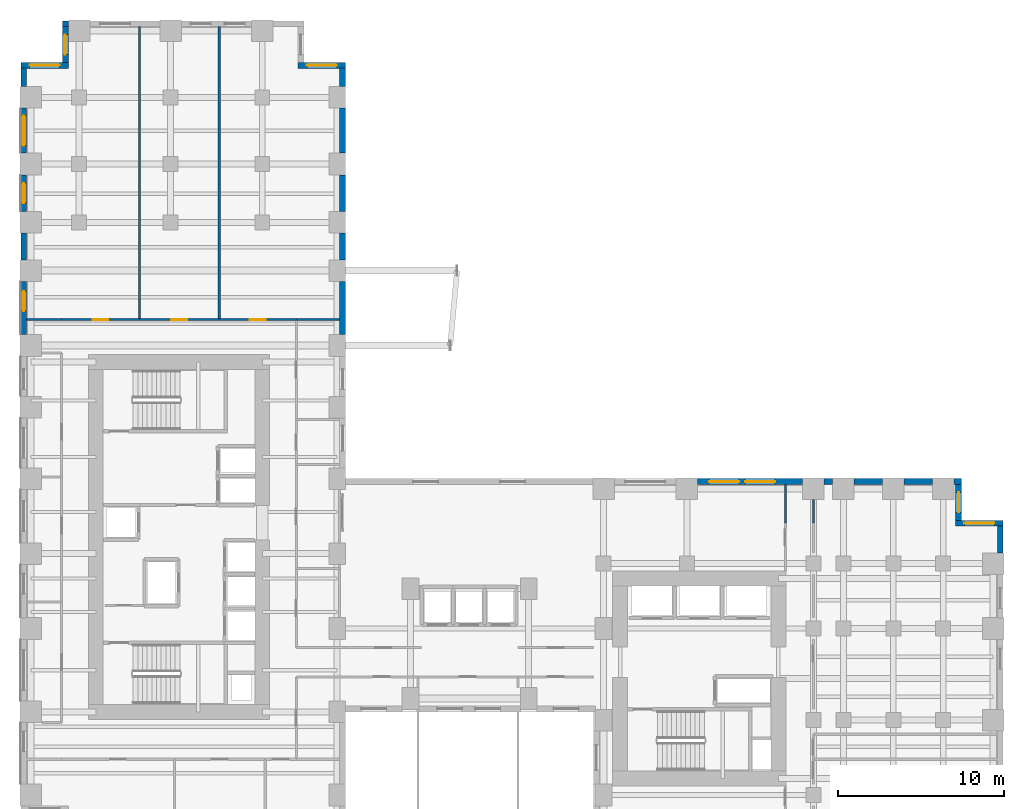
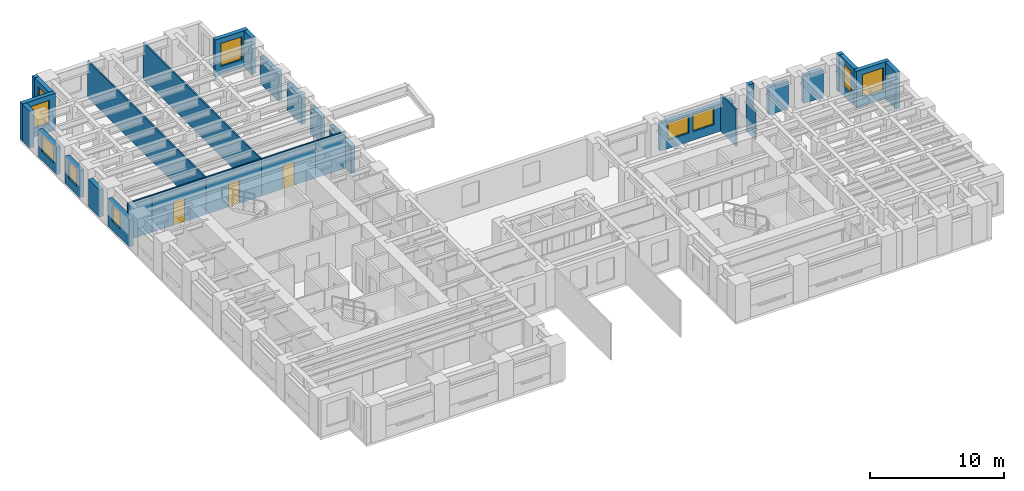
# One storey, part 11 of 14: 31 walls, 10 windows, 3 doors, 13 openings.
"""IFC4 building model written with IfcOpenShell, lengths in metres."""

from ifc_helpers import new_model, si_unit, direction, frame, frame_2d, origin, place, context, subcontext, project, spatial, rectangle, extrude, source, transform, mapped, material, layer, layer_set, type_object, element, fill, save


model = new_model("IFC4")

# Units and contexts
model_context = context("Model", 3, precision=1e-05, world=origin(), true_north=direction((0.0, 1.0)))
body_context = subcontext(model_context, "Body", "Model", "MODEL_VIEW")
ifc_project = project(units=[si_unit("LENGTHUNIT", "METRE"), si_unit("AREAUNIT", "SQUARE_METRE"), si_unit("VOLUMEUNIT", "CUBIC_METRE"), si_unit("PLANEANGLEUNIT", "RADIAN"), si_unit("MASSUNIT", "GRAM", prefix="KILO")], contexts=[model_context])

# Site, building, storey
site_placement = place(None, origin())
site = spatial("IfcSite", under=ifc_project, at=site_placement, CompositionType="ELEMENT")
building_placement = place(site_placement, origin())
building = spatial("IfcBuilding", under=site, at=building_placement, Name="Kharzan Plaza Tower", CompositionType="ELEMENT")
storey_placement = place(building_placement, frame((0.0, 0.0, 36.89990234375)))
storey = spatial("IfcBuildingStorey", under=building, at=storey_placement, Name="L09", CompositionType="ELEMENT", Elevation=36.89990234375)

# Wall, opening, window
ifc_material_1 = material(Name="Concrete C40/50", Category="concrete")
ifc_layer_1 = layer(ifc_material_1, 0.35009765625)
ifc_layer_set_1 = layer_set([ifc_layer_1], Name="Concrete C40/50")
wall_type_1 = type_object("IfcWallType", Name="WL-EXT-MAS-Z1", PredefinedType="SOLIDWALL", material=ifc_layer_set_1)
wall_1_placement = place(storey_placement, frame((19.5, 47.324951171875, 0.0), z_axis=(0.0, 0.0, 1.0), x_axis=(-1.0, 0.0, 0.0)))
wall_1 = element("IfcWall", 1, at=wall_1_placement, inside=storey, type_object=wall_type_1, Name="L09 Masonry-Frame Exterior Wall 01", PredefinedType="SOLIDWALL", context=body_context, shape_type="SweptSolid", body=[
    extrude(rectangle(XDim=2.85009765625, YDim=0.35009765625, at=frame_2d((1.425048828125, 0.0))), origin(), (0.0, 0.0, 1.0), 3.364990234375),
])
opening_1_placement = place(wall_1_placement, frame((0.52490234375, 0.0, 0.780029296875)))
opening_1 = element("IfcOpeningElement", 2, at=opening_1_placement, cuts=wall_1, Name="Opening W1", PredefinedType="OPENING", context=body_context, shape_type="SweptSolid", body=[
    extrude(rectangle(XDim=1.800048828125, YDim=2.10009765625, at=frame_2d((0.89990234375, 1.050048828125))), frame((0.0, 0.18505859375, 0.0), z_axis=(0.0, -1.0, 0.0), x_axis=(1.0, 0.0, 0.0)), (0.0, 0.0, 1.0), 0.3701171875),
])
ifc_material_2 = material(Name="Low-E Double Glazing", Category="glass")
window_type_1 = type_object("IfcWindowType", Name="WN-REC-1800x2100", PartitioningType="SINGLE_PANEL", PredefinedType="WINDOW", material=ifc_material_2)
shared_shape_1 = source(origin(), body_context, "Body", "SweptSolid", [
    extrude(rectangle(XDim=1.800048828125, YDim=2.10009765625, at=frame_2d((0.89990234375, 1.050048828125))), frame((0.0, 0.030029296875, 0.0), z_axis=(0.0, -1.0, 0.0), x_axis=(1.0, 0.0, 0.0)), (0.0, 0.0, 1.0), 0.06005859375),
])
window_1_placement = place(opening_1_placement, origin())
window_1 = element("IfcWindow", 3, at=window_1_placement, inside=storey, type_object=window_type_1, Name="L09 Recessed Solar-Control Window 01-1", OverallHeight=2.10009765625, OverallWidth=1.800048828125, PartitioningType="SINGLE_PANEL", PredefinedType="WINDOW", context=body_context, shape_type="MappedRepresentation", body=[
    mapped(shared_shape_1, transform((0.0, 0.0, 0.0), x_axis=(1.0, 0.0, 0.0), y_axis=(0.0, 1.0, 0.0), z_axis=(0.0, 0.0, 1.0))),
])
fill(opening_1, window_1)

wall_2_placement = place(storey_placement, frame((2.675048828125, 49.652099609375, 0.0), z_axis=(0.0, 0.0, 1.0), x_axis=(0.0, -1.0, 0.0)))
wall_2 = element("IfcWall", 4, at=wall_2_placement, inside=storey, type_object=wall_type_1, Name="L09 Masonry-Frame Exterior Wall 07", PredefinedType="SOLIDWALL", context=body_context, shape_type="SweptSolid", body=[
    extrude(rectangle(XDim=2.154052734375, YDim=0.35009765625, at=frame_2d((1.0771484375, 0.0))), origin(), (0.0, 0.0, 1.0), 3.364990234375),
])
opening_2_placement = place(wall_2_placement, frame((0.47705078125, 0.0, 0.780029296875)))
opening_2 = element("IfcOpeningElement", 5, at=opening_2_placement, cuts=wall_2, Name="Opening W3", PredefinedType="OPENING", context=body_context, shape_type="SweptSolid", body=[
    extrude(rectangle(XDim=1.199951171875, YDim=2.10009765625, at=frame_2d((0.60009765625, 1.050048828125))), frame((0.0, 0.18505859375, 0.0), z_axis=(0.0, -1.0, 0.0), x_axis=(1.0, 0.0, 0.0)), (0.0, 0.0, 1.0), 0.3701171875),
])
window_type_2 = type_object("IfcWindowType", Name="WN-REC-1200x2100", PartitioningType="SINGLE_PANEL", PredefinedType="WINDOW", material=ifc_material_2)
shared_shape_2 = source(origin(), body_context, "Body", "SweptSolid", [
    extrude(rectangle(XDim=1.199951171875, YDim=2.10009765625, at=frame_2d((0.60009765625, 1.050048828125))), frame((0.0, 0.030029296875, 0.0), z_axis=(0.0, -1.0, 0.0), x_axis=(1.0, 0.0, 0.0)), (0.0, 0.0, 1.0), 0.06005859375),
])
window_2_placement = place(opening_2_placement, origin())
window_2 = element("IfcWindow", 6, at=window_2_placement, inside=storey, type_object=window_type_2, Name="L09 Recessed Solar-Control Window 07-1", OverallHeight=2.10009765625, OverallWidth=1.199951171875, PartitioningType="SINGLE_PANEL", PredefinedType="WINDOW", context=body_context, shape_type="MappedRepresentation", body=[
    mapped(shared_shape_2, transform((0.0, 0.0, 0.0), x_axis=(1.0, 0.0, 0.0), y_axis=(0.0, 1.0, 0.0), z_axis=(0.0, 0.0, 1.0))),
])
fill(opening_2, window_2)

wall_3_placement = place(storey_placement, frame((2.85009765625, 47.324951171875, 0.0), z_axis=(0.0, 0.0, 1.0), x_axis=(-1.0, 0.0, 0.0)))
wall_3 = element("IfcWall", 7, at=wall_3_placement, inside=storey, type_object=wall_type_1, Name="L09 Masonry-Frame Exterior Wall 08", PredefinedType="SOLIDWALL", context=body_context, shape_type="SweptSolid", body=[
    extrude(rectangle(XDim=2.85009765625, YDim=0.35009765625, at=frame_2d((1.425048828125, 0.0))), origin(), (0.0, 0.0, 1.0), 3.364990234375),
])
opening_3_placement = place(wall_3_placement, frame((0.52490234375, 0.0, 0.780029296875)))
opening_3 = element("IfcOpeningElement", 8, at=opening_3_placement, cuts=wall_3, Name="Opening W1", PredefinedType="OPENING", context=body_context, shape_type="SweptSolid", body=[
    extrude(rectangle(XDim=1.800048828125, YDim=2.10009765625, at=frame_2d((0.89990234375, 1.050048828125))), frame((0.0, 0.18505859375, 0.0), z_axis=(0.0, -1.0, 0.0), x_axis=(1.0, 0.0, 0.0)), (0.0, 0.0, 1.0), 0.3701171875),
])
window_3_placement = place(opening_3_placement, origin())
window_3 = element("IfcWindow", 9, at=window_3_placement, inside=storey, type_object=window_type_1, Name="L09 Recessed Solar-Control Window 08-1", OverallHeight=2.10009765625, OverallWidth=1.800048828125, PartitioningType="SINGLE_PANEL", PredefinedType="WINDOW", context=body_context, shape_type="MappedRepresentation", body=[
    mapped(shared_shape_1, transform((0.0, 0.0, 0.0), x_axis=(1.0, 0.0, 0.0), y_axis=(0.0, 1.0, 0.0), z_axis=(0.0, 0.0, 1.0))),
])
fill(opening_3, window_3)

wall_4_placement = place(storey_placement, frame((0.175048828125, 44.751953125, 0.0), z_axis=(0.0, 0.0, 1.0), x_axis=(0.0, -1.0, 0.0)))
wall_4 = element("IfcWall", 10, at=wall_4_placement, inside=storey, type_object=wall_type_1, Name="L09 Masonry-Frame Exterior Wall 10", PredefinedType="SOLIDWALL", context=body_context, shape_type="SweptSolid", body=[
    extrude(rectangle(XDim=2.703857421875, YDim=0.35009765625, at=frame_2d((1.35205078125, 0.0))), origin(), (0.0, 0.0, 1.0), 2.510009765625),
])
opening_4_placement = place(wall_4_placement, frame((0.451904296875, 0.0, 0.780029296875)))
opening_4 = element("IfcOpeningElement", 11, at=opening_4_placement, cuts=wall_4, Name="Opening W1", PredefinedType="OPENING", context=body_context, shape_type="SweptSolid", body=[
    extrude(rectangle(XDim=1.800048828125, YDim=1.550048828125, at=frame_2d((0.89990234375, 0.77490234375))), frame((0.0, 0.18505859375, 0.0), z_axis=(0.0, -1.0, 0.0), x_axis=(1.0, 0.0, 0.0)), (0.0, 0.0, 1.0), 0.3701171875),
])
shared_shape_3 = source(origin(), body_context, "Body", "SweptSolid", [
    extrude(rectangle(XDim=1.800048828125, YDim=1.550048828125, at=frame_2d((0.89990234375, 0.77490234375))), frame((0.0, 0.030029296875, 0.0), z_axis=(0.0, -1.0, 0.0), x_axis=(1.0, 0.0, 0.0)), (0.0, 0.0, 1.0), 0.06005859375),
])
window_4_placement = place(opening_4_placement, origin())
window_4 = element("IfcWindow", 12, at=window_4_placement, inside=storey, type_object=window_type_1, Name="L09 Recessed Solar-Control Window 10-1", OverallHeight=1.550048828125, OverallWidth=1.800048828125, PartitioningType="SINGLE_PANEL", PredefinedType="WINDOW", context=body_context, shape_type="MappedRepresentation", body=[
    mapped(shared_shape_3, transform((0.0, 0.0, 0.0), x_axis=(1.0, 0.0, 0.0), y_axis=(0.0, 1.0, 0.0), z_axis=(0.0, 0.0, 1.0))),
])
fill(opening_4, window_4)

wall_5_placement = place(storey_placement, frame((0.175048828125, 40.751953125, 0.0), z_axis=(0.0, 0.0, 1.0), x_axis=(0.0, -1.0, 0.0)))
wall_5 = element("IfcWall", 13, at=wall_5_placement, inside=storey, type_object=wall_type_1, Name="L09 Masonry-Frame Exterior Wall 11", PredefinedType="SOLIDWALL", context=body_context, shape_type="SweptSolid", body=[
    extrude(rectangle(XDim=2.203857421875, YDim=0.35009765625, at=frame_2d((1.10205078125, 0.0))), origin(), (0.0, 0.0, 1.0), 2.510009765625),
])
opening_5_placement = place(wall_5_placement, frame((0.501953125, 0.0, 0.780029296875)))
opening_5 = element("IfcOpeningElement", 14, at=opening_5_placement, cuts=wall_5, Name="Opening W3", PredefinedType="OPENING", context=body_context, shape_type="SweptSolid", body=[
    extrude(rectangle(XDim=1.199951171875, YDim=1.550048828125, at=frame_2d((0.60009765625, 0.77490234375))), frame((0.0, 0.18505859375, 0.0), z_axis=(0.0, -1.0, 0.0), x_axis=(1.0, 0.0, 0.0)), (0.0, 0.0, 1.0), 0.3701171875),
])
shared_shape_4 = source(origin(), body_context, "Body", "SweptSolid", [
    extrude(rectangle(XDim=1.199951171875, YDim=1.550048828125, at=frame_2d((0.60009765625, 0.77490234375))), frame((0.0, 0.030029296875, 0.0), z_axis=(0.0, -1.0, 0.0), x_axis=(1.0, 0.0, 0.0)), (0.0, 0.0, 1.0), 0.06005859375),
])
window_5_placement = place(opening_5_placement, origin())
window_5 = element("IfcWindow", 15, at=window_5_placement, inside=storey, type_object=window_type_2, Name="L09 Recessed Solar-Control Window 11-1", OverallHeight=1.550048828125, OverallWidth=1.199951171875, PartitioningType="SINGLE_PANEL", PredefinedType="WINDOW", context=body_context, shape_type="MappedRepresentation", body=[
    mapped(shared_shape_4, transform((0.0, 0.0, 0.0), x_axis=(1.0, 0.0, 0.0), y_axis=(0.0, 1.0, 0.0), z_axis=(0.0, 0.0, 1.0))),
])
fill(opening_5, window_5)

wall_6_placement = place(storey_placement, frame((0.175048828125, 34.35205078125, 0.0), z_axis=(0.0, 0.0, 1.0), x_axis=(0.0, -1.0, 0.0)))
wall_6 = element("IfcWall", 16, at=wall_6_placement, inside=storey, type_object=wall_type_1, Name="L09 Masonry-Frame Exterior Wall 13", PredefinedType="SOLIDWALL", context=body_context, shape_type="SweptSolid", body=[
    extrude(rectangle(XDim=3.2041015625, YDim=0.35009765625, at=frame_2d((1.60205078125, 0.0))), origin(), (0.0, 0.0, 1.0), 2.510009765625),
])
opening_6_placement = place(wall_6_placement, frame((0.5859375, 0.0, 0.780029296875)))
opening_6 = element("IfcOpeningElement", 17, at=opening_6_placement, cuts=wall_6, Name="Opening W3", PredefinedType="OPENING", context=body_context, shape_type="SweptSolid", body=[
    extrude(rectangle(XDim=1.199951171875, YDim=1.550048828125, at=frame_2d((0.60009765625, 0.77490234375))), frame((0.0, 0.18505859375, 0.0), z_axis=(0.0, -1.0, 0.0), x_axis=(1.0, 0.0, 0.0)), (0.0, 0.0, 1.0), 0.3701171875),
])
window_6_placement = place(opening_6_placement, origin())
window_6 = element("IfcWindow", 18, at=window_6_placement, inside=storey, type_object=window_type_2, Name="L09 Recessed Solar-Control Window 13-1", OverallHeight=1.550048828125, OverallWidth=1.199951171875, PartitioningType="SINGLE_PANEL", PredefinedType="WINDOW", context=body_context, shape_type="MappedRepresentation", body=[
    mapped(shared_shape_4, transform((0.0, 0.0, 0.0), x_axis=(1.0, 0.0, 0.0), y_axis=(0.0, 1.0, 0.0), z_axis=(0.0, 0.0, 1.0))),
])
fill(opening_6, window_6)

wall_7_placement = place(storey_placement, frame((59.0, 19.824951171875, 0.0), z_axis=(0.0, 0.0, 1.0), x_axis=(-1.0, 0.0, 0.0)))
wall_7 = element("IfcWall", 19, at=wall_7_placement, inside=storey, type_object=wall_type_1, Name="L09 Masonry-Frame Exterior Wall 45", PredefinedType="SOLIDWALL", context=body_context, shape_type="SweptSolid", body=[
    extrude(rectangle(XDim=2.85009765625, YDim=0.35009765625, at=frame_2d((1.425048828125, 0.0))), origin(), (0.0, 0.0, 1.0), 3.364990234375),
])
opening_7_placement = place(wall_7_placement, frame((0.52490234375, 0.0, 0.780029296875)))
opening_7 = element("IfcOpeningElement", 20, at=opening_7_placement, cuts=wall_7, Name="Opening W1", PredefinedType="OPENING", context=body_context, shape_type="SweptSolid", body=[
    extrude(rectangle(XDim=1.800048828125, YDim=2.10009765625, at=frame_2d((0.89990234375, 1.050048828125))), frame((0.0, 0.18505859375, 0.0), z_axis=(0.0, -1.0, 0.0), x_axis=(1.0, 0.0, 0.0)), (0.0, 0.0, 1.0), 0.3701171875),
])
window_7_placement = place(opening_7_placement, origin())
window_7 = element("IfcWindow", 21, at=window_7_placement, inside=storey, type_object=window_type_1, Name="L09 Recessed Solar-Control Window 45-1", OverallHeight=2.10009765625, OverallWidth=1.800048828125, PartitioningType="SINGLE_PANEL", PredefinedType="WINDOW", context=body_context, shape_type="MappedRepresentation", body=[
    mapped(shared_shape_1, transform((0.0, 0.0, 0.0), x_axis=(1.0, 0.0, 0.0), y_axis=(0.0, 1.0, 0.0), z_axis=(0.0, 0.0, 1.0))),
])
fill(opening_7, window_7)

wall_8_placement = place(storey_placement, frame((56.324951171875, 19.998046875, 0.0), z_axis=(0.0, 0.0, 1.0), x_axis=(0.0, 1.0, 0.0)))
wall_8 = element("IfcWall", 22, at=wall_8_placement, inside=storey, type_object=wall_type_1, Name="L09 Masonry-Frame Exterior Wall 46", PredefinedType="SOLIDWALL", context=body_context, shape_type="SweptSolid", body=[
    extrude(rectangle(XDim=2.154052734375, YDim=0.35009765625, at=frame_2d((1.0771484375, 0.0))), origin(), (0.0, 0.0, 1.0), 3.364990234375),
])
opening_8_placement = place(wall_8_placement, frame((0.47705078125, 0.0, 0.780029296875)))
opening_8 = element("IfcOpeningElement", 23, at=opening_8_placement, cuts=wall_8, Name="Opening W3", PredefinedType="OPENING", context=body_context, shape_type="SweptSolid", body=[
    extrude(rectangle(XDim=1.199951171875, YDim=2.10009765625, at=frame_2d((0.60009765625, 1.050048828125))), frame((0.0, 0.18505859375, 0.0), z_axis=(0.0, -1.0, 0.0), x_axis=(1.0, 0.0, 0.0)), (0.0, 0.0, 1.0), 0.3701171875),
])
window_8_placement = place(opening_8_placement, origin())
window_8 = element("IfcWindow", 24, at=window_8_placement, inside=storey, type_object=window_type_2, Name="L09 Recessed Solar-Control Window 46-1", OverallHeight=2.10009765625, OverallWidth=1.199951171875, PartitioningType="SINGLE_PANEL", PredefinedType="WINDOW", context=body_context, shape_type="MappedRepresentation", body=[
    mapped(shared_shape_2, transform((0.0, 0.0, 0.0), x_axis=(1.0, 0.0, 0.0), y_axis=(0.0, 1.0, 0.0), z_axis=(0.0, 0.0, 1.0))),
])
fill(opening_8, window_8)

# Wall, openings, windows
wall_9_placement = place(storey_placement, frame((46.951904296875, 22.324951171875, 0.0), z_axis=(0.0, 0.0, 1.0), x_axis=(-1.0, 0.0, 0.0)))
wall_9 = element("IfcWall", 25, at=wall_9_placement, inside=storey, type_object=wall_type_1, Name="L09 Masonry-Frame Exterior Wall 51", PredefinedType="SOLIDWALL", context=body_context, shape_type="SweptSolid", body=[
    extrude(rectangle(XDim=6.303955078125, YDim=0.35009765625, at=frame_2d((3.15185546875, 0.0))), origin(), (0.0, 0.0, 1.0), 2.510009765625),
])
opening_9_placement = place(wall_9_placement, frame((1.6494140625, 0.0, 0.780029296875)))
opening_9 = element("IfcOpeningElement", 26, at=opening_9_placement, cuts=wall_9, Name="Opening W1", PredefinedType="OPENING", context=body_context, shape_type="SweptSolid", body=[
    extrude(rectangle(XDim=1.800048828125, YDim=1.550048828125, at=frame_2d((0.89990234375, 0.77490234375))), frame((0.0, 0.18505859375, 0.0), z_axis=(0.0, -1.0, 0.0), x_axis=(1.0, 0.0, 0.0)), (0.0, 0.0, 1.0), 0.3701171875),
])
opening_10_placement = place(wall_9_placement, frame((3.816650390625, 0.0, 0.780029296875)))
opening_10 = element("IfcOpeningElement", 27, at=opening_10_placement, cuts=wall_9, Name="Opening W1", PredefinedType="OPENING", context=body_context, shape_type="SweptSolid", body=[
    extrude(rectangle(XDim=1.800048828125, YDim=1.550048828125, at=frame_2d((0.89990234375, 0.77490234375))), frame((0.0, 0.18505859375, 0.0), z_axis=(0.0, -1.0, 0.0), x_axis=(1.0, 0.0, 0.0)), (0.0, 0.0, 1.0), 0.3701171875),
])
window_9_placement = place(opening_9_placement, origin())
window_9 = element("IfcWindow", 28, at=window_9_placement, inside=storey, type_object=window_type_1, Name="L09 Recessed Solar-Control Window 51-1", OverallHeight=1.550048828125, OverallWidth=1.800048828125, PartitioningType="SINGLE_PANEL", PredefinedType="WINDOW", context=body_context, shape_type="MappedRepresentation", body=[
    mapped(shared_shape_3, transform((0.0, 0.0, 0.0), x_axis=(1.0, 0.0, 0.0), y_axis=(0.0, 1.0, 0.0), z_axis=(0.0, 0.0, 1.0))),
])
fill(opening_9, window_9)
window_10_placement = place(opening_10_placement, origin())
window_10 = element("IfcWindow", 29, at=window_10_placement, inside=storey, type_object=window_type_1, Name="L09 Recessed Solar-Control Window 51-2", OverallHeight=1.550048828125, OverallWidth=1.800048828125, PartitioningType="SINGLE_PANEL", PredefinedType="WINDOW", context=body_context, shape_type="MappedRepresentation", body=[
    mapped(shared_shape_3, transform((0.0, 0.0, 0.0), x_axis=(1.0, 0.0, 0.0), y_axis=(0.0, 1.0, 0.0), z_axis=(0.0, 0.0, 1.0))),
])
fill(opening_10, window_10)

# Wall, opening, door
ifc_material_3 = material(Name="Fire-Rated Gypsum Board Partition", Category="gypsum")
ifc_layer_2 = layer(ifc_material_3, 0.125)
ifc_layer_set_2 = layer_set([ifc_layer_2], Name="Fire-Rated Gypsum Board Partition")
wall_type_2 = type_object("IfcWallType", Name="WL-INT-PART-125", PredefinedType="PARTITIONING", material=ifc_layer_set_2)
wall_10_placement = place(storey_placement, frame((2.449951171875, 32.050048828125, 0.0), z_axis=(0.0, 0.0, 1.0), x_axis=(1.0, 0.0, 0.0)))
wall_10 = element("IfcWall", 30, at=wall_10_placement, inside=storey, type_object=wall_type_2, Name="L09 Interior Partition SH-NN-1", PredefinedType="PARTITIONING", context=body_context, shape_type="SweptSolid", body=[
    extrude(rectangle(XDim=4.671142578125, YDim=0.125, at=frame_2d((2.33544921875, 0.0))), origin(), (0.0, 0.0, 1.0), 3.364990234375),
])
opening_11_placement = place(wall_10_placement, frame((1.860595703125, 0.0, 0.0)))
opening_11 = element("IfcOpeningElement", 31, at=opening_11_placement, cuts=wall_10, Name="Opening OD1", PredefinedType="OPENING", context=body_context, shape_type="SweptSolid", body=[
    extrude(rectangle(XDim=0.949951171875, YDim=2.14990234375, at=frame_2d((0.47509765625, 1.074951171875))), frame((0.0, 0.072509765625, 0.0), z_axis=(0.0, -1.0, 0.0), x_axis=(1.0, 0.0, 0.0)), (0.0, 0.0, 1.0), 0.14501953125),
])
ifc_material_4 = material(Name="Acoustic Solid-Core Stained Oak", Category="timber")
door_type = type_object("IfcDoorType", Name="DR-OFF-SINGLE", OperationType="NOTDEFINED", PredefinedType="DOOR", material=ifc_material_4)
shared_shape_5 = source(origin(), body_context, "Body", "SweptSolid", [
    extrude(rectangle(XDim=0.949951171875, YDim=2.14990234375, at=frame_2d((0.47509765625, 1.074951171875))), frame((0.0, 0.02490234375, 0.0), z_axis=(0.0, -1.0, 0.0), x_axis=(1.0, 0.0, 0.0)), (0.0, 0.0, 1.0), 0.050048828125),
])
door_1_placement = place(opening_11_placement, origin())
door_1 = element("IfcDoor", 32, at=door_1_placement, inside=storey, type_object=door_type, Name="L09 Staff Tea Pantry Door", OperationType="SINGLE_SWING_LEFT", OverallHeight=2.14990234375, OverallWidth=0.949951171875, PredefinedType="DOOR", context=body_context, shape_type="MappedRepresentation", body=[
    mapped(shared_shape_5, transform((0.0, 0.0, 0.0), x_axis=(1.0, 0.0, 0.0), y_axis=(0.0, 1.0, 0.0), z_axis=(0.0, 0.0, 1.0))),
])
fill(opening_11, door_1)

wall_11_placement = place(storey_placement, frame((7.12109375, 32.050048828125, 0.0), z_axis=(0.0, 0.0, 1.0), x_axis=(1.0, 0.0, 0.0)))
wall_11 = element("IfcWall", 33, at=wall_11_placement, inside=storey, type_object=wall_type_2, Name="L09 Interior Partition SH-NN-2", PredefinedType="PARTITIONING", context=body_context, shape_type="SweptSolid", body=[
    extrude(rectangle(XDim=4.794921875, YDim=0.125, at=frame_2d((2.3974609375, 0.0))), origin(), (0.0, 0.0, 1.0), 3.364990234375),
])
opening_12_placement = place(wall_11_placement, frame((1.922607421875, 0.0, 0.0)))
opening_12 = element("IfcOpeningElement", 34, at=opening_12_placement, cuts=wall_11, Name="Opening OD1", PredefinedType="OPENING", context=body_context, shape_type="SweptSolid", body=[
    extrude(rectangle(XDim=0.949951171875, YDim=2.14990234375, at=frame_2d((0.47509765625, 1.074951171875))), frame((0.0, 0.072509765625, 0.0), z_axis=(0.0, -1.0, 0.0), x_axis=(1.0, 0.0, 0.0)), (0.0, 0.0, 1.0), 0.14501953125),
])
door_2_placement = place(opening_12_placement, origin())
door_2 = element("IfcDoor", 35, at=door_2_placement, inside=storey, type_object=door_type, Name="L09 Hydrodynamics Computing Lab Door", OperationType="SINGLE_SWING_RIGHT", OverallHeight=2.14990234375, OverallWidth=0.949951171875, PredefinedType="DOOR", context=body_context, shape_type="MappedRepresentation", body=[
    mapped(shared_shape_5, transform((0.0, 0.0, 0.0), x_axis=(1.0, 0.0, 0.0), y_axis=(0.0, 1.0, 0.0), z_axis=(0.0, 0.0, 1.0))),
])
fill(opening_12, door_2)

wall_12_placement = place(storey_placement, frame((11.916015625, 32.050048828125, 0.0), z_axis=(0.0, 0.0, 1.0), x_axis=(1.0, 0.0, 0.0)))
wall_12 = element("IfcWall", 36, at=wall_12_placement, inside=storey, type_object=wall_type_2, Name="L09 Interior Partition SH-NN-3", PredefinedType="PARTITIONING", context=body_context, shape_type="SweptSolid", body=[
    extrude(rectangle(XDim=4.634033203125, YDim=0.125, at=frame_2d((2.31689453125, 0.0))), origin(), (0.0, 0.0, 1.0), 3.364990234375),
])
opening_13_placement = place(wall_12_placement, frame((1.842041015625, 0.0, 0.0)))
opening_13 = element("IfcOpeningElement", 37, at=opening_13_placement, cuts=wall_12, Name="Opening OD1", PredefinedType="OPENING", context=body_context, shape_type="SweptSolid", body=[
    extrude(rectangle(XDim=0.949951171875, YDim=2.14990234375, at=frame_2d((0.47509765625, 1.074951171875))), frame((0.0, 0.072509765625, 0.0), z_axis=(0.0, -1.0, 0.0), x_axis=(1.0, 0.0, 0.0)), (0.0, 0.0, 1.0), 0.14501953125),
])
door_3_placement = place(opening_13_placement, origin())
door_3 = element("IfcDoor", 38, at=door_3_placement, inside=storey, type_object=door_type, Name="L09 Hydrodynamics Computing Lab Door", OperationType="SINGLE_SWING_LEFT", OverallHeight=2.14990234375, OverallWidth=0.949951171875, PredefinedType="DOOR", context=body_context, shape_type="MappedRepresentation", body=[
    mapped(shared_shape_5, transform((0.0, 0.0, 0.0), x_axis=(1.0, 0.0, 0.0), y_axis=(0.0, 1.0, 0.0), z_axis=(0.0, 0.0, 1.0))),
])
fill(opening_13, door_3)

# Walls
shared_shape_6 = source(origin(), body_context, "Body", "SweptSolid", [
    extrude(rectangle(XDim=0.35205078125, YDim=0.35009765625, at=frame_2d((0.176025390625, 0.0))), origin(), (0.0, 0.0, 1.0), 3.364990234375),
])
wall_13_placement = place(storey_placement, frame((2.85205078125, 49.824951171875, 0.0), z_axis=(0.0, 0.0, 1.0), x_axis=(-1.0, 0.0, 0.0)))
element("IfcWall", 39, at=wall_13_placement, inside=storey, type_object=wall_type_1, Name="L09 Masonry-Frame Exterior Wall 06", PredefinedType="SOLIDWALL", context=body_context, shape_type="MappedRepresentation", body=[
    mapped(shared_shape_6, transform((0.0, 0.0, 0.0), x_axis=(1.0, 0.0, 0.0), y_axis=(0.0, 1.0, 0.0), z_axis=(0.0, 0.0, 1.0))),
])
shared_shape_7 = source(origin(), body_context, "Body", "SweptSolid", [
    extrude(rectangle(XDim=1.10400390625, YDim=0.35009765625, at=frame_2d((0.552001953125, 0.0))), origin(), (0.0, 0.0, 1.0), 3.364990234375),
])
for number, where, z_axis, x_axis, name in (
    (40, (0.175048828125, 47.152099609375, 0.0), (0.0, 0.0, 1.0), (0.0, -1.0, 0.0), "L09 Masonry-Frame Exterior Wall 09"),
    (41, (19.324951171875, 46.048095703125, 0.0), (0.0, 0.0, 1.0), (0.0, 1.0, 0.0), "L09 Masonry-Frame Exterior Wall 60"),
):
    element("IfcWall", number, at=place(storey_placement, frame(where, z_axis=z_axis, x_axis=x_axis)), inside=storey, type_object=wall_type_1, Name=name, PredefinedType="SOLIDWALL", context=body_context, shape_type="MappedRepresentation", body=[
        mapped(shared_shape_7, transform((0.0, 0.0, 0.0), x_axis=(1.0, 0.0, 0.0), y_axis=(0.0, 1.0, 0.0), z_axis=(0.0, 0.0, 1.0))),
    ])
shared_shape_8 = source(origin(), body_context, "Body", "SweptSolid", [
    extrude(rectangle(XDim=1.60400390625, YDim=0.35009765625, at=frame_2d((0.802001953125, 0.0))), origin(), (0.0, 0.0, 1.0), 2.510009765625),
])
for number, where, z_axis, x_axis, name in (
    (42, (0.175048828125, 37.251953125, 0.0), (0.0, 0.0, 1.0), (0.0, -1.0, 0.0), "L09 Masonry-Frame Exterior Wall 12"),
    (43, (19.324951171875, 35.64794921875, 0.0), (0.0, 0.0, 1.0), (0.0, 1.0, 0.0), "L09 Masonry-Frame Exterior Wall 57"),
):
    element("IfcWall", number, at=place(storey_placement, frame(where, z_axis=z_axis, x_axis=x_axis)), inside=storey, type_object=wall_type_1, Name=name, PredefinedType="SOLIDWALL", context=body_context, shape_type="MappedRepresentation", body=[
        mapped(shared_shape_8, transform((0.0, 0.0, 0.0), x_axis=(1.0, 0.0, 0.0), y_axis=(0.0, 1.0, 0.0), z_axis=(0.0, 0.0, 1.0))),
    ])
shared_shape_9 = source(origin(), body_context, "Body", "SweptSolid", [
    extrude(rectangle(XDim=0.50390625, YDim=0.35009765625, at=frame_2d((0.251953125, 0.0))), origin(), (0.0, 0.0, 1.0), 3.364990234375),
])
wall_14_placement = place(storey_placement, frame((48.751953125, 22.324951171875, 0.0), z_axis=(0.0, 0.0, 1.0), x_axis=(-1.0, 0.0, 0.0)))
element("IfcWall", 44, at=wall_14_placement, inside=storey, type_object=wall_type_1, Name="L09 Masonry-Frame Exterior Wall 50", PredefinedType="SOLIDWALL", context=body_context, shape_type="MappedRepresentation", body=[
    mapped(shared_shape_9, transform((0.0, 0.0, 0.0), x_axis=(1.0, 0.0, 0.0), y_axis=(0.0, 1.0, 0.0), z_axis=(0.0, 0.0, 1.0))),
])
shared_shape_10 = source(origin(), body_context, "Body", "SweptSolid", [
    extrude(rectangle(XDim=1.703857421875, YDim=0.35009765625, at=frame_2d((0.85205078125, 0.0))), origin(), (0.0, 0.0, 1.0), 2.510009765625),
])
for number, where, z_axis, x_axis, name in (
    (45, (54.751953125, 22.324951171875, 0.0), (0.0, 0.0, 1.0), (-1.0, 0.0, 0.0), "L09 Masonry-Frame Exterior Wall 48"),
    (46, (51.751953125, 22.324951171875, 0.0), (0.0, 0.0, 1.0), (-1.0, 0.0, 0.0), "L09 Masonry-Frame Exterior Wall 49"),
):
    element("IfcWall", number, at=place(storey_placement, frame(where, z_axis=z_axis, x_axis=x_axis)), inside=storey, type_object=wall_type_1, Name=name, PredefinedType="SOLIDWALL", context=body_context, shape_type="MappedRepresentation", body=[
        mapped(shared_shape_10, transform((0.0, 0.0, 0.0), x_axis=(1.0, 0.0, 0.0), y_axis=(0.0, 1.0, 0.0), z_axis=(0.0, 0.0, 1.0))),
    ])
shared_shape_11 = source(origin(), body_context, "Body", "SweptSolid", [
    extrude(rectangle(XDim=0.451904296875, YDim=0.35009765625, at=frame_2d((0.22607421875, 0.0))), origin(), (0.0, 0.0, 1.0), 3.364990234375),
])
wall_15_placement = place(storey_placement, frame((56.5, 22.324951171875, 0.0), z_axis=(0.0, 0.0, 1.0), x_axis=(-1.0, 0.0, 0.0)))
element("IfcWall", 47, at=wall_15_placement, inside=storey, type_object=wall_type_1, Name="L09 Masonry-Frame Exterior Wall 47", PredefinedType="SOLIDWALL", context=body_context, shape_type="MappedRepresentation", body=[
    mapped(shared_shape_11, transform((0.0, 0.0, 0.0), x_axis=(1.0, 0.0, 0.0), y_axis=(0.0, 1.0, 0.0), z_axis=(0.0, 0.0, 1.0))),
])
shared_shape_12 = source(origin(), body_context, "Body", "SweptSolid", [
    extrude(rectangle(XDim=3.2041015625, YDim=0.35009765625, at=frame_2d((1.60205078125, 0.0))), origin(), (0.0, 0.0, 1.0), 2.510009765625),
])
wall_16_placement = place(storey_placement, frame((19.324951171875, 31.14794921875, 0.0), z_axis=(0.0, 0.0, 1.0), x_axis=(0.0, 1.0, 0.0)))
element("IfcWall", 48, at=wall_16_placement, inside=storey, type_object=wall_type_1, Name="L09 Masonry-Frame Exterior Wall 56", PredefinedType="SOLIDWALL", context=body_context, shape_type="MappedRepresentation", body=[
    mapped(shared_shape_12, transform((0.0, 0.0, 0.0), x_axis=(1.0, 0.0, 0.0), y_axis=(0.0, 1.0, 0.0), z_axis=(0.0, 0.0, 1.0))),
])
shared_shape_13 = source(origin(), body_context, "Body", "SweptSolid", [
    extrude(rectangle(XDim=1.60400390625, YDim=0.35009765625, at=frame_2d((0.802001953125, 0.0))), origin(), (0.0, 0.0, 1.0), 3.364990234375),
])
wall_17_placement = place(storey_placement, frame((58.824951171875, 18.048095703125, 0.0), z_axis=(0.0, 0.0, 1.0), x_axis=(0.0, 1.0, 0.0)))
element("IfcWall", 49, at=wall_17_placement, inside=storey, type_object=wall_type_1, Name="L09 Masonry-Frame Exterior Wall 44", PredefinedType="SOLIDWALL", context=body_context, shape_type="MappedRepresentation", body=[
    mapped(shared_shape_13, transform((0.0, 0.0, 0.0), x_axis=(1.0, 0.0, 0.0), y_axis=(0.0, 1.0, 0.0), z_axis=(0.0, 0.0, 1.0))),
])
shared_shape_14 = source(origin(), body_context, "Body", "SweptSolid", [
    extrude(rectangle(XDim=2.203857421875, YDim=0.35009765625, at=frame_2d((1.10205078125, 0.0))), origin(), (0.0, 0.0, 1.0), 2.510009765625),
])
wall_18_placement = place(storey_placement, frame((19.324951171875, 38.548095703125, 0.0), z_axis=(0.0, 0.0, 1.0), x_axis=(0.0, 1.0, 0.0)))
element("IfcWall", 50, at=wall_18_placement, inside=storey, type_object=wall_type_1, Name="L09 Masonry-Frame Exterior Wall 58", PredefinedType="SOLIDWALL", context=body_context, shape_type="MappedRepresentation", body=[
    mapped(shared_shape_14, transform((0.0, 0.0, 0.0), x_axis=(1.0, 0.0, 0.0), y_axis=(0.0, 1.0, 0.0), z_axis=(0.0, 0.0, 1.0))),
])
shared_shape_15 = source(origin(), body_context, "Body", "SweptSolid", [
    extrude(rectangle(XDim=2.703857421875, YDim=0.35009765625, at=frame_2d((1.35205078125, 0.0))), origin(), (0.0, 0.0, 1.0), 2.510009765625),
])
wall_19_placement = place(storey_placement, frame((19.324951171875, 42.048095703125, 0.0), z_axis=(0.0, 0.0, 1.0), x_axis=(0.0, 1.0, 0.0)))
element("IfcWall", 51, at=wall_19_placement, inside=storey, type_object=wall_type_1, Name="L09 Masonry-Frame Exterior Wall 59", PredefinedType="SOLIDWALL", context=body_context, shape_type="MappedRepresentation", body=[
    mapped(shared_shape_15, transform((0.0, 0.0, 0.0), x_axis=(1.0, 0.0, 0.0), y_axis=(0.0, 1.0, 0.0), z_axis=(0.0, 0.0, 1.0))),
])
shared_shape_16 = source(origin(), body_context, "Body", "SweptSolid", [
    extrude(rectangle(XDim=2.597900390625, YDim=0.125, at=frame_2d((1.298828125, 0.0))), origin(), (0.0, 0.0, 1.0), 3.364990234375),
])
wall_20_placement = place(storey_placement, frame((16.550048828125, 32.050048828125, 0.0), z_axis=(0.0, 0.0, 1.0), x_axis=(1.0, 0.0, 0.0)))
element("IfcWall", 52, at=wall_20_placement, inside=storey, type_object=wall_type_2, Name="L09 Interior Partition SH-NNE0", PredefinedType="PARTITIONING", context=body_context, shape_type="MappedRepresentation", body=[
    mapped(shared_shape_16, transform((0.0, 0.0, 0.0), x_axis=(1.0, 0.0, 0.0), y_axis=(0.0, 1.0, 0.0), z_axis=(0.0, 0.0, 1.0))),
])
shared_shape_17 = source(origin(), body_context, "Body", "SweptSolid", [
    extrude(rectangle(XDim=2.2978515625, YDim=0.125, at=frame_2d((1.14892578125, 0.0))), origin(), (0.0, 0.0, 1.0), 3.364990234375),
])
wall_21_placement = place(storey_placement, frame((45.919921875, 19.85009765625, 0.0), z_axis=(0.0, 0.0, 1.0), x_axis=(0.0, 1.0, 0.0)))
element("IfcWall", 53, at=wall_21_placement, inside=storey, type_object=wall_type_2, Name="L09 Interior Partition SH-RBNE0", PredefinedType="PARTITIONING", context=body_context, shape_type="MappedRepresentation", body=[
    mapped(shared_shape_17, transform((0.0, 0.0, 0.0), x_axis=(1.0, 0.0, 0.0), y_axis=(0.0, 1.0, 0.0), z_axis=(0.0, 0.0, 1.0))),
])
shared_shape_18 = source(origin(), body_context, "Body", "SweptSolid", [
    extrude(rectangle(XDim=2.097900390625, YDim=0.125, at=frame_2d((1.048828125, 0.0))), origin(), (0.0, 0.0, 1.0), 3.364990234375),
])
wall_22_placement = place(storey_placement, frame((0.35205078125, 32.050048828125, 0.0), z_axis=(0.0, 0.0, 1.0), x_axis=(1.0, 0.0, 0.0)))
element("IfcWall", 54, at=wall_22_placement, inside=storey, type_object=wall_type_2, Name="L09 Interior Partition SH-NNW0", PredefinedType="PARTITIONING", context=body_context, shape_type="MappedRepresentation", body=[
    mapped(shared_shape_18, transform((0.0, 0.0, 0.0), x_axis=(1.0, 0.0, 0.0), y_axis=(0.0, 1.0, 0.0), z_axis=(0.0, 0.0, 1.0))),
])
shared_shape_19 = source(origin(), body_context, "Body", "SweptSolid", [
    extrude(rectangle(XDim=1.389892578125, YDim=0.125, at=frame_2d((0.69482421875, 0.0))), origin(), (0.0, 0.0, 1.0), 2.670166015625),
])
wall_23_placement = place(storey_placement, frame((47.60009765625, 19.85009765625, 0.0), z_axis=(0.0, 0.0, 1.0), x_axis=(0.0, 1.0, 0.0)))
element("IfcWall", 55, at=wall_23_placement, inside=storey, type_object=wall_type_2, Name="L09 Interior Partition SH-B0W1N", PredefinedType="PARTITIONING", context=body_context, shape_type="MappedRepresentation", body=[
    mapped(shared_shape_19, transform((0.0, 0.0, 0.0), x_axis=(1.0, 0.0, 0.0), y_axis=(0.0, 1.0, 0.0), z_axis=(0.0, 0.0, 1.0))),
])
shared_shape_20 = source(origin(), body_context, "Body", "SweptSolid", [
    extrude(rectangle(XDim=17.597900390625, YDim=0.125, at=frame_2d((8.798828125, 0.0))), origin(), (0.0, 0.0, 1.0), 3.364990234375),
])
for number, where, z_axis, x_axis, name in (
    (56, (7.12109375, 32.050048828125, 0.0), (0.0, 0.0, 1.0), (0.0, 1.0, 0.0), "L09 Interior Partition SH-NV-1"),
    (57, (11.916015625, 32.050048828125, 0.0), (0.0, 0.0, 1.0), (0.0, 1.0, 0.0), "L09 Interior Partition SH-NV-2"),
):
    element("IfcWall", number, at=place(storey_placement, frame(where, z_axis=z_axis, x_axis=x_axis)), inside=storey, type_object=wall_type_2, Name=name, PredefinedType="PARTITIONING", context=body_context, shape_type="MappedRepresentation", body=[
        mapped(shared_shape_20, transform((0.0, 0.0, 0.0), x_axis=(1.0, 0.0, 0.0), y_axis=(0.0, 1.0, 0.0), z_axis=(0.0, 0.0, 1.0))),
    ])

save(model, "model.ifc")
